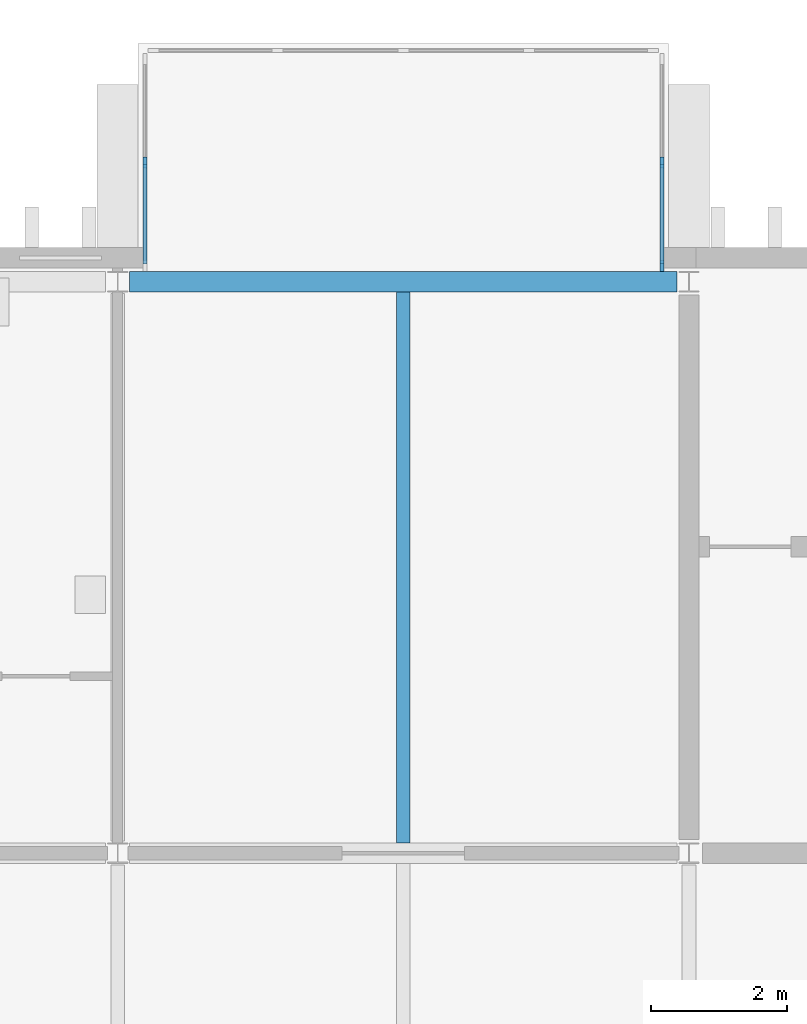
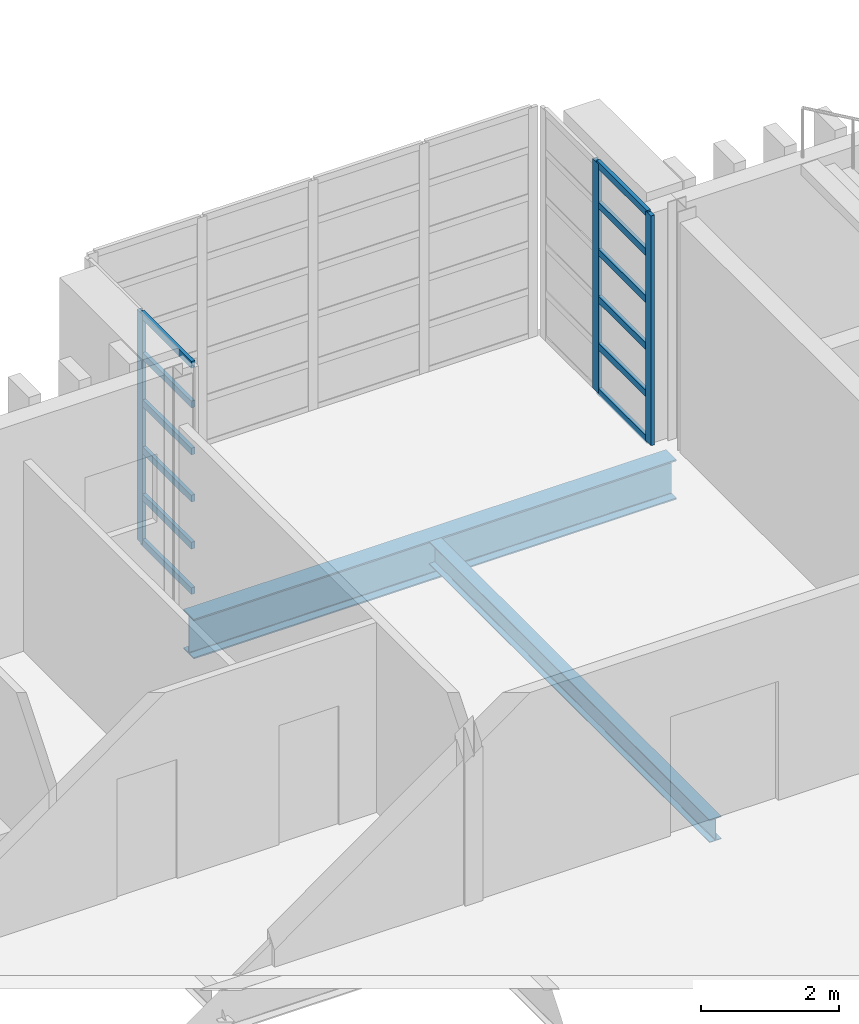
# One storey, part 29 of 100: 15 members, 2 beams, 2 elements without a shape of their own.
"""IFC4 building model written with IfcOpenShell, lengths in metres."""

from ifc_helpers import new_model, si_unit, direction, frame, origin, origin_2d, place, context, subcontext, project, spatial, rectangle, i_section, extrude, material, layer, layer_set, material_profile, profile_set, type_object, element, aggregate, save


model = new_model("IFC4")

# Units and contexts
model_context = context("Model", 3, precision=1e-05, world=origin(), true_north=direction((0.0, 1.0)))
body_context = subcontext(model_context, "Body", "Model", "MODEL_VIEW")
ifc_project = project(units=[si_unit("LENGTHUNIT", "METRE"), si_unit("AREAUNIT", "SQUARE_METRE"), si_unit("VOLUMEUNIT", "CUBIC_METRE"), si_unit("PLANEANGLEUNIT", "RADIAN"), si_unit("MASSUNIT", "GRAM", prefix="KILO")], contexts=[model_context])

# Site, building, storey
site_placement = place(None, origin())
site = spatial("IfcSite", under=ifc_project, at=site_placement, CompositionType="ELEMENT")
building_placement = place(site_placement, origin())
building = spatial("IfcBuilding", under=site, at=building_placement, Name="Cresset Court Congress Hotel", CompositionType="ELEMENT")
storey_placement = place(building_placement, frame((0.0, 0.0, 10.199951171875)))
storey = spatial("IfcBuildingStorey", under=building, at=storey_placement, Name="L02", CompositionType="ELEMENT", Elevation=10.199951171875)

# Curtain wall, member
ifc_material_1 = material(Name="Aluminium frame with double glazing", Category="aluminium")
ifc_layer = layer(ifc_material_1, 0.199951171875)
ifc_layer_set = layer_set([ifc_layer], Name="Glazed box curtain wall 1680 module")
curtain_wall_type = type_object("IfcCurtainWallType", Name="Glazed box curtain wall 1680 module", PredefinedType="NOTDEFINED", material=ifc_layer_set)
curtain_wall_1_placement = place(storey_placement, origin())
curtain_wall_1 = element("IfcCurtainWall", 1, at=curtain_wall_1_placement, inside=storey, type_object=curtain_wall_type, Name="Glazed box N0232 side", PredefinedType="NOTDEFINED")
ifc_material_2 = material(Name="Aluminium", Category="aluminium")
ifc_material_profile_1 = material_profile(ifc_material_2, rectangle(XDim=0.06005859375, YDim=0.159912109375, at=origin_2d()), Name="Box mullion 60x160")
ifc_profile_set_1 = profile_set([ifc_material_profile_1], Name="Aluminium")
member_type_1 = type_object("IfcMemberType", Name="Box mullion 60x160", PredefinedType="MULLION", material=ifc_profile_set_1)
member_1_placement = place(storey_placement, frame((126.39990234375, 26.949951171875, 0.0), z_axis=(0.0, 0.0, 1.0), x_axis=(-1.0, 0.0, 0.0)))
member_1 = element("IfcMember", 2, at=member_1_placement, type_object=member_type_1, Name="B-X1 mullion 2", PredefinedType="MULLION", context=body_context, shape_type="SweptSolid", body=[
    extrude(rectangle(XDim=0.06005859375, YDim=0.159912109375, at=origin_2d()), origin(), (0.0, 0.0, 1.0), 4.050048828125),
])

# Curtain wall, members
curtain_wall_2_placement = place(storey_placement, origin())
curtain_wall_2 = element("IfcCurtainWall", 3, at=curtain_wall_2_placement, inside=storey, type_object=curtain_wall_type, Name="Glazed box N0232 side", PredefinedType="NOTDEFINED")
member_2_placement = place(storey_placement, frame((134.0, 25.429931640625, 0.0), z_axis=(0.0, 0.0, 1.0), x_axis=(-1.0, 0.0, 0.0)))
member_2 = element("IfcMember", 4, at=member_2_placement, type_object=member_type_1, Name="B-X1 mullion 1", PredefinedType="MULLION", context=body_context, shape_type="SweptSolid", body=[
    extrude(rectangle(XDim=0.06005859375, YDim=0.159912109375, at=origin_2d()), origin(), (0.0, 0.0, 1.0), 4.050048828125),
])
member_3_placement = place(storey_placement, frame((134.0, 26.949951171875, 0.0), z_axis=(0.0, 0.0, 1.0), x_axis=(-1.0, 0.0, 0.0)))
member_3 = element("IfcMember", 5, at=member_3_placement, type_object=member_type_1, Name="B-X1 mullion 2", PredefinedType="MULLION", context=body_context, shape_type="SweptSolid", body=[
    extrude(rectangle(XDim=0.06005859375, YDim=0.159912109375, at=origin_2d()), origin(), (0.0, 0.0, 1.0), 4.050048828125),
])

# Member
ifc_material_3 = material(Name="Aluminium", Category="aluminium")
ifc_material_profile_2 = material_profile(ifc_material_3, rectangle(XDim=0.06005859375, YDim=0.1201171875, at=origin_2d()), Name="Box transom 60x120")
ifc_profile_set_2 = profile_set([ifc_material_profile_2], Name="Aluminium")
member_type_2 = type_object("IfcMemberType", Name="Box transom 60x120", PredefinedType="USERDEFINED", material=ifc_profile_set_2)
member_4_placement = place(storey_placement, frame((126.39990234375, 25.4599609375, 0.030029296875), z_axis=(0.0, 1.0, 0.0), x_axis=(-1.0, 0.0, 0.0)))
member_4 = element("IfcMember", 6, at=member_4_placement, type_object=member_type_2, Name="B-X1 transom 1.1", ObjectType="TRANSOM", PredefinedType="USERDEFINED", context=body_context, shape_type="SweptSolid", body=[
    extrude(rectangle(XDim=0.06005859375, YDim=0.1201171875, at=origin_2d()), origin(), (0.0, 0.0, 1.0), 1.4599609375),
])

member_5_placement = place(storey_placement, frame((126.39990234375, 25.4599609375, 0.830078125), z_axis=(0.0, 1.0, 0.0), x_axis=(-1.0, 0.0, 0.0)))
member_5 = element("IfcMember", 7, at=member_5_placement, type_object=member_type_2, Name="B-X1 transom 1.2", ObjectType="TRANSOM", PredefinedType="USERDEFINED", context=body_context, shape_type="SweptSolid", body=[
    extrude(rectangle(XDim=0.06005859375, YDim=0.1201171875, at=origin_2d()), origin(), (0.0, 0.0, 1.0), 1.4599609375),
])

member_6_placement = place(storey_placement, frame((126.39990234375, 25.4599609375, 1.66015625), z_axis=(0.0, 1.0, 0.0), x_axis=(-1.0, 0.0, 0.0)))
member_6 = element("IfcMember", 8, at=member_6_placement, type_object=member_type_2, Name="B-X1 transom 1.3", ObjectType="TRANSOM", PredefinedType="USERDEFINED", context=body_context, shape_type="SweptSolid", body=[
    extrude(rectangle(XDim=0.06005859375, YDim=0.1201171875, at=origin_2d()), origin(), (0.0, 0.0, 1.0), 1.4599609375),
])

member_7_placement = place(storey_placement, frame((126.39990234375, 25.4599609375, 2.489990234375), z_axis=(0.0, 1.0, 0.0), x_axis=(-1.0, 0.0, 0.0)))
member_7 = element("IfcMember", 9, at=member_7_placement, type_object=member_type_2, Name="B-X1 transom 1.4", ObjectType="TRANSOM", PredefinedType="USERDEFINED", context=body_context, shape_type="SweptSolid", body=[
    extrude(rectangle(XDim=0.06005859375, YDim=0.1201171875, at=origin_2d()), origin(), (0.0, 0.0, 1.0), 1.4599609375),
])

member_8_placement = place(storey_placement, frame((126.39990234375, 25.4599609375, 3.320068359375), z_axis=(0.0, 1.0, 0.0), x_axis=(-1.0, 0.0, 0.0)))
member_8 = element("IfcMember", 10, at=member_8_placement, type_object=member_type_2, Name="B-X1 transom 1.5", ObjectType="TRANSOM", PredefinedType="USERDEFINED", context=body_context, shape_type="SweptSolid", body=[
    extrude(rectangle(XDim=0.06005859375, YDim=0.1201171875, at=origin_2d()), origin(), (0.0, 0.0, 1.0), 1.4599609375),
])

member_9_placement = place(storey_placement, frame((126.39990234375, 25.4599609375, 4.02001953125), z_axis=(0.0, 1.0, 0.0), x_axis=(-1.0, 0.0, 0.0)))
member_9 = element("IfcMember", 11, at=member_9_placement, type_object=member_type_2, Name="B-X1 transom 1.6", ObjectType="TRANSOM", PredefinedType="USERDEFINED", context=body_context, shape_type="SweptSolid", body=[
    extrude(rectangle(XDim=0.06005859375, YDim=0.1201171875, at=origin_2d()), origin(), (0.0, 0.0, 1.0), 1.4599609375),
])

aggregate(curtain_wall_1, [member_1, member_4, member_5, member_6, member_7, member_8, member_9])

member_10_placement = place(storey_placement, frame((134.0, 25.4599609375, 0.030029296875), z_axis=(0.0, 1.0, 0.0), x_axis=(-1.0, 0.0, 0.0)))
member_10 = element("IfcMember", 12, at=member_10_placement, type_object=member_type_2, Name="B-X1 transom 1.1", ObjectType="TRANSOM", PredefinedType="USERDEFINED", context=body_context, shape_type="SweptSolid", body=[
    extrude(rectangle(XDim=0.06005859375, YDim=0.1201171875, at=origin_2d()), origin(), (0.0, 0.0, 1.0), 1.4599609375),
])

member_11_placement = place(storey_placement, frame((134.0, 25.4599609375, 0.830078125), z_axis=(0.0, 1.0, 0.0), x_axis=(-1.0, 0.0, 0.0)))
member_11 = element("IfcMember", 13, at=member_11_placement, type_object=member_type_2, Name="B-X1 transom 1.2", ObjectType="TRANSOM", PredefinedType="USERDEFINED", context=body_context, shape_type="SweptSolid", body=[
    extrude(rectangle(XDim=0.06005859375, YDim=0.1201171875, at=origin_2d()), origin(), (0.0, 0.0, 1.0), 1.4599609375),
])

member_12_placement = place(storey_placement, frame((134.0, 25.4599609375, 1.66015625), z_axis=(0.0, 1.0, 0.0), x_axis=(-1.0, 0.0, 0.0)))
member_12 = element("IfcMember", 14, at=member_12_placement, type_object=member_type_2, Name="B-X1 transom 1.3", ObjectType="TRANSOM", PredefinedType="USERDEFINED", context=body_context, shape_type="SweptSolid", body=[
    extrude(rectangle(XDim=0.06005859375, YDim=0.1201171875, at=origin_2d()), origin(), (0.0, 0.0, 1.0), 1.4599609375),
])

member_13_placement = place(storey_placement, frame((134.0, 25.4599609375, 2.489990234375), z_axis=(0.0, 1.0, 0.0), x_axis=(-1.0, 0.0, 0.0)))
member_13 = element("IfcMember", 15, at=member_13_placement, type_object=member_type_2, Name="B-X1 transom 1.4", ObjectType="TRANSOM", PredefinedType="USERDEFINED", context=body_context, shape_type="SweptSolid", body=[
    extrude(rectangle(XDim=0.06005859375, YDim=0.1201171875, at=origin_2d()), origin(), (0.0, 0.0, 1.0), 1.4599609375),
])

member_14_placement = place(storey_placement, frame((134.0, 25.4599609375, 3.320068359375), z_axis=(0.0, 1.0, 0.0), x_axis=(-1.0, 0.0, 0.0)))
member_14 = element("IfcMember", 16, at=member_14_placement, type_object=member_type_2, Name="B-X1 transom 1.5", ObjectType="TRANSOM", PredefinedType="USERDEFINED", context=body_context, shape_type="SweptSolid", body=[
    extrude(rectangle(XDim=0.06005859375, YDim=0.1201171875, at=origin_2d()), origin(), (0.0, 0.0, 1.0), 1.4599609375),
])

member_15_placement = place(storey_placement, frame((134.0, 25.4599609375, 4.02001953125), z_axis=(0.0, 1.0, 0.0), x_axis=(-1.0, 0.0, 0.0)))
member_15 = element("IfcMember", 17, at=member_15_placement, type_object=member_type_2, Name="B-X1 transom 1.6", ObjectType="TRANSOM", PredefinedType="USERDEFINED", context=body_context, shape_type="SweptSolid", body=[
    extrude(rectangle(XDim=0.06005859375, YDim=0.1201171875, at=origin_2d()), origin(), (0.0, 0.0, 1.0), 1.4599609375),
])

aggregate(curtain_wall_2, [member_2, member_3, member_10, member_11, member_12, member_13, member_14, member_15])

# Beams
ifc_material_4 = material(Name="Structural steel Q355B", Category="steel")
ifc_material_profile_3 = material_profile(ifc_material_4, i_section(OverallWidth=0.300048828125, OverallDepth=0.699951171875, WebThickness=0.012939453125, FlangeThickness=0.02392578125, FilletRadius=0.01806640625, at=origin_2d()), Name="HN700x300x13x24")
ifc_profile_set_3 = profile_set([ifc_material_profile_3], Name="Structural steel Q355B")
beam_type_1 = type_object("IfcBeamType", Name="Steel beam HN700x300x13x24", PredefinedType="BEAM", material=ifc_profile_set_3)
beam_1_placement = place(storey_placement, frame((126.175048828125, 25.199951171875, -0.5), z_axis=(1.0, 0.0, 0.0), x_axis=(0.0, 1.0, 0.0)))
element("IfcBeam", 18, at=beam_1_placement, inside=storey, type_object=beam_type_1, Name="B.bx.L02.D16", PredefinedType="BEAM", context=body_context, shape_type="SweptSolid", body=[
    extrude(i_section(OverallWidth=0.300048828125, OverallDepth=0.699951171875, WebThickness=0.012939453125, FlangeThickness=0.02392578125, FilletRadius=0.01806640625, at=origin_2d()), origin(), (0.0, 0.0, 1.0), 8.050048828125),
])
ifc_material_5 = material(Name="Structural steel Q355B", Category="steel")
ifc_material_profile_4 = material_profile(ifc_material_5, i_section(OverallWidth=0.199951171875, OverallDepth=0.39990234375, WebThickness=0.008056640625, FlangeThickness=0.012939453125, FilletRadius=0.01611328125, at=origin_2d()), Name="HN400x200x8x13")
ifc_profile_set_4 = profile_set([ifc_material_profile_4], Name="Structural steel Q355B")
beam_type_2 = type_object("IfcBeamType", Name="Steel joist HN400x200x8x13", PredefinedType="JOIST", material=ifc_profile_set_4)
beam_2_placement = place(storey_placement, frame((130.199951171875, 16.949951171875, -0.349853515625), z_axis=(0.0, 1.0, 0.0), x_axis=(-1.0, 0.0, 0.0)))
element("IfcBeam", 19, at=beam_2_placement, inside=storey, type_object=beam_type_2, Name="B.bj.L02.16C", PredefinedType="JOIST", context=body_context, shape_type="SweptSolid", body=[
    extrude(i_section(OverallWidth=0.199951171875, OverallDepth=0.39990234375, WebThickness=0.008056640625, FlangeThickness=0.012939453125, FilletRadius=0.01611328125, at=origin_2d()), origin(), (0.0, 0.0, 1.0), 8.10009765625),
])

save(model, "model.ifc")
